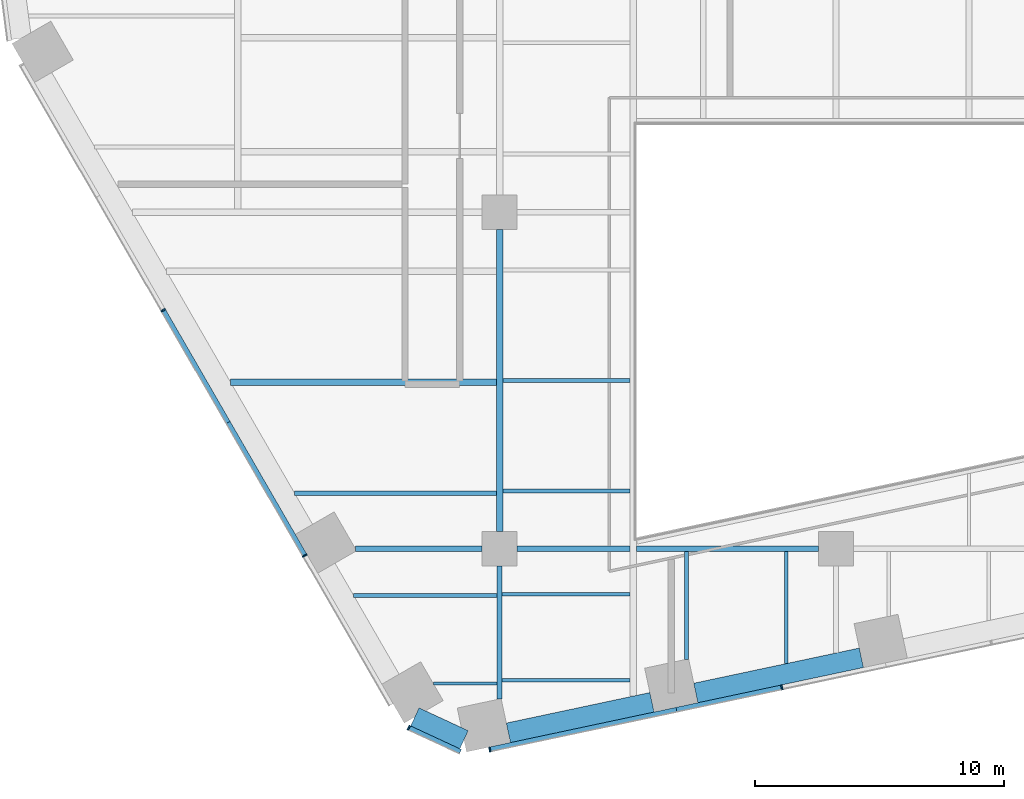
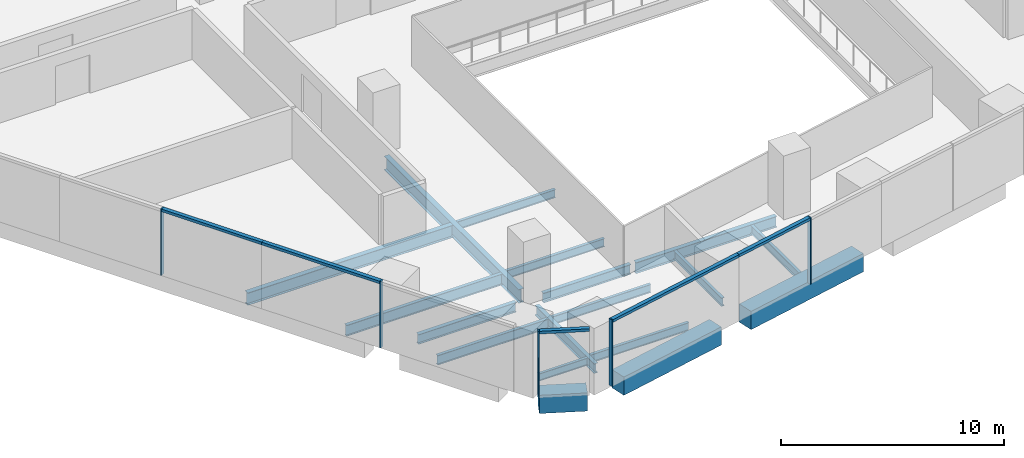
# One storey, part 2 of 20: 18 beams, 10 members, 3 elements without a shape of their own.
"""IFC4 building model written with IfcOpenShell, lengths in metres."""

from ifc_helpers import new_model, si_unit, direction, frame, origin, origin_2d, place, context, subcontext, project, spatial, rectangle, i_section, extrude, material, layer, layer_set, material_profile, profile_set, type_object, element, aggregate, save


model = new_model("IFC4")

# Units and contexts
model_context = context("Model", 3, precision=1e-05, world=origin(), true_north=direction((0.0, 1.0)))
body_context = subcontext(model_context, "Body", "Model", "MODEL_VIEW")
ifc_project = project(units=[si_unit("LENGTHUNIT", "METRE"), si_unit("AREAUNIT", "SQUARE_METRE"), si_unit("VOLUMEUNIT", "CUBIC_METRE"), si_unit("PLANEANGLEUNIT", "RADIAN"), si_unit("MASSUNIT", "GRAM", prefix="KILO")], contexts=[model_context])

# Site, building, storey
site_placement = place(None, origin())
site = spatial("IfcSite", under=ifc_project, at=site_placement, CompositionType="ELEMENT")
building_placement = place(site_placement, origin())
building = spatial("IfcBuilding", under=site, at=building_placement, Name="Isthmus Gate Tower", CompositionType="ELEMENT")
storey_placement = place(building_placement, frame((0.0, 0.0, 65.199951171875)))
storey = spatial("IfcBuildingStorey", under=building, at=storey_placement, Name="L14", CompositionType="ELEMENT", Elevation=65.199951171875)

# Curtain wall, members
ifc_material_1 = material(Name="Aluminium, pale champagne anodised", Category="aluminium")
ifc_layer = layer(ifc_material_1, 0.199951171875)
ifc_layer_set = layer_set([ifc_layer], Name="CW-1 UNITISED CURTAIN WALL 200 DEEP")
curtain_wall_type = type_object("IfcCurtainWallType", Name="CW-1 UNITISED CURTAIN WALL 200 DEEP", PredefinedType="NOTDEFINED", material=ifc_layer_set)
curtain_wall_1_placement = place(storey_placement, origin())
curtain_wall_1 = element("IfcCurtainWall", 1, at=curtain_wall_1_placement, inside=storey, type_object=curtain_wall_type, Name="CW-1 SW L14", PredefinedType="NOTDEFINED")
ifc_material_2 = material(Name="Aluminium, pale champagne anodised", Category="aluminium")
ifc_material_profile_1 = material_profile(ifc_material_2, rectangle(XDim=0.06005859375, YDim=0.199951171875, at=origin_2d()), Name="60x200")
ifc_profile_set_1 = profile_set([ifc_material_profile_1], Name="Aluminium, pale champagne anodised")
member_type_1 = type_object("IfcMemberType", Name="CW-1 MULLION 60 X 200", PredefinedType="MULLION", material=ifc_profile_set_1)
member_1_placement = place(storey_placement, frame((-27.001708984375, -17.431640625, 0.0), z_axis=(0.0, 0.0, 1.0), x_axis=(0.5, -0.866025403784, 0.0)))
member_1 = element("IfcMember", 2, at=member_1_placement, type_object=member_type_1, Name="CW-1 mullion", PredefinedType="MULLION", context=body_context, shape_type="SweptSolid", body=[
    extrude(rectangle(XDim=0.06005859375, YDim=0.199951171875, at=origin_2d()), origin(), (0.0, 0.0, 1.0), 3.650146484375),
])
member_2_placement = place(storey_placement, frame((-21.318115234375, -27.27587890625, 0.0), z_axis=(0.0, 0.0, 1.0), x_axis=(0.5, -0.866025403784, 0.0)))
member_2 = element("IfcMember", 3, at=member_2_placement, type_object=member_type_1, Name="CW-1 mullion", PredefinedType="MULLION", context=body_context, shape_type="SweptSolid", body=[
    extrude(rectangle(XDim=0.06005859375, YDim=0.199951171875, at=origin_2d()), origin(), (0.0, 0.0, 1.0), 3.650146484375),
])

# Curtain wall, member
curtain_wall_2_placement = place(storey_placement, origin())
curtain_wall_2 = element("IfcCurtainWall", 4, at=curtain_wall_2_placement, inside=storey, type_object=curtain_wall_type, Name="CW-1 SW-S L14", PredefinedType="NOTDEFINED")
member_3_placement = place(storey_placement, frame((-17.14794921875, -34.184814453125, 0.0), z_axis=(0.0, 0.0, 1.0), x_axis=(0.907256261367, -0.420578264073, 0.0)))
member_3 = element("IfcMember", 5, at=member_3_placement, type_object=member_type_1, Name="CW-1 mullion", PredefinedType="MULLION", context=body_context, shape_type="SweptSolid", body=[
    extrude(rectangle(XDim=0.06005859375, YDim=0.199951171875, at=origin_2d()), origin(), (0.0, 0.0, 1.0), 3.650146484375),
])

# Curtain wall, members
curtain_wall_3_placement = place(storey_placement, origin())
curtain_wall_3 = element("IfcCurtainWall", 6, at=curtain_wall_3_placement, inside=storey, type_object=curtain_wall_type, Name="CW-1 S L14", PredefinedType="NOTDEFINED")
member_4_placement = place(storey_placement, frame((-13.89501953125, -35.0556640625, 0.0), z_axis=(0.0, 0.0, 1.0), x_axis=(0.978147600734, 0.207911690818, 0.0)))
member_4 = element("IfcMember", 7, at=member_4_placement, type_object=member_type_1, Name="CW-1 mullion", PredefinedType="MULLION", context=body_context, shape_type="SweptSolid", body=[
    extrude(rectangle(XDim=0.06005859375, YDim=0.199951171875, at=origin_2d()), origin(), (0.0, 0.0, 1.0), 3.650146484375),
])
member_5_placement = place(storey_placement, frame((-2.1728515625, -32.564208984375, 0.0), z_axis=(0.0, 0.0, 1.0), x_axis=(0.978147600734, 0.207911690818, 0.0)))
member_5 = element("IfcMember", 8, at=member_5_placement, type_object=member_type_1, Name="CW-1 mullion", PredefinedType="MULLION", context=body_context, shape_type="SweptSolid", body=[
    extrude(rectangle(XDim=0.06005859375, YDim=0.199951171875, at=origin_2d()), origin(), (0.0, 0.0, 1.0), 3.650146484375),
])

# Member
ifc_material_3 = material(Name="Aluminium, pale champagne anodised", Category="aluminium")
ifc_material_profile_2 = material_profile(ifc_material_3, rectangle(XDim=0.199951171875, YDim=0.14990234375, at=origin_2d()), Name="200x150")
ifc_profile_set_2 = profile_set([ifc_material_profile_2], Name="Aluminium, pale champagne anodised")
member_type_2 = type_object("IfcMemberType", Name="CW-1 TRANSOM 200 X 150", PredefinedType="USERDEFINED", material=ifc_profile_set_2)
member_6_placement = place(storey_placement, frame((-26.98681640625, -17.45751953125, 3.574951171875), z_axis=(0.49999612508, -0.866027640959, 0.0), x_axis=(0.866027640959, 0.49999612508, 0.0)))
member_6 = element("IfcMember", 9, at=member_6_placement, type_object=member_type_2, Name="CW-1 transom", ObjectType="TRANSOM", PredefinedType="USERDEFINED", context=body_context, shape_type="SweptSolid", body=[
    extrude(rectangle(XDim=0.199951171875, YDim=0.14990234375, at=origin_2d()), origin(), (0.0, 0.0, 1.0), 5.173828125),
])

member_7_placement = place(storey_placement, frame((-24.39990234375, -21.938232421875, 3.574951171875), z_axis=(0.500017618927, -0.866015231253, 0.0), x_axis=(0.866015231253, 0.500017618927, 0.0)))
member_7 = element("IfcMember", 10, at=member_7_placement, type_object=member_type_2, Name="CW-1 transom", ObjectType="TRANSOM", PredefinedType="USERDEFINED", context=body_context, shape_type="SweptSolid", body=[
    extrude(rectangle(XDim=0.199951171875, YDim=0.14990234375, at=origin_2d()), origin(), (0.0, 0.0, 1.0), 6.133544921875),
])

aggregate(curtain_wall_1, [member_1, member_6, member_7, member_2])

member_8_placement = place(storey_placement, frame((-17.120849609375, -34.197509765625, 3.574951171875), z_axis=(0.907246225564, -0.420599912268, 0.0), x_axis=(0.420599912268, 0.907246225564, 0.0)))
member_8 = element("IfcMember", 11, at=member_8_placement, type_object=member_type_2, Name="CW-1 transom", ObjectType="TRANSOM", PredefinedType="USERDEFINED", context=body_context, shape_type="SweptSolid", body=[
    extrude(rectangle(XDim=0.199951171875, YDim=0.14990234375, at=origin_2d()), origin(), (0.0, 0.0, 1.0), 2.258544921875),
])

aggregate(curtain_wall_2, [member_3, member_8])

member_9_placement = place(storey_placement, frame((-13.86572265625, -35.049560546875, 3.574951171875), z_axis=(0.978149009137, 0.20790506469, 0.0), x_axis=(-0.20790506469, 0.978149009137, 0.0)))
member_9 = element("IfcMember", 12, at=member_9_placement, type_object=member_type_2, Name="CW-1 transom", ObjectType="TRANSOM", PredefinedType="USERDEFINED", context=body_context, shape_type="SweptSolid", body=[
    extrude(rectangle(XDim=0.199951171875, YDim=0.14990234375, at=origin_2d()), origin(), (0.0, 0.0, 1.0), 7.62939453125),
])

member_10_placement = place(storey_placement, frame((-6.403076171875, -33.46337890625, 3.574951171875), z_axis=(0.97813890815, 0.207952582007, 0.0), x_axis=(-0.207952582007, 0.97813890815, 0.0)))
member_10 = element("IfcMember", 13, at=member_10_placement, type_object=member_type_2, Name="CW-1 transom", ObjectType="TRANSOM", PredefinedType="USERDEFINED", context=body_context, shape_type="SweptSolid", body=[
    extrude(rectangle(XDim=0.199951171875, YDim=0.14990234375, at=origin_2d()), origin(), (0.0, 0.0, 1.0), 4.294677734375),
])

aggregate(curtain_wall_3, [member_4, member_9, member_10, member_5])

# Beams
ifc_material_4 = material(Name="Concrete f'c 70 MPa", Category="concrete")
ifc_material_profile_3 = material_profile(ifc_material_4, rectangle(XDim=0.800048828125, YDim=1.0, at=origin_2d()), Name="RC 800X1000")
ifc_profile_set_3 = profile_set([ifc_material_profile_3], Name="Concrete f'c 70 MPa")
beam_type_1 = type_object("IfcBeamType", Name="RC SPANDREL 800 X 1000", PredefinedType="SPANDREL", material=ifc_profile_set_3)
beam_1_placement = place(storey_placement, frame((1.01416015625, -31.37548828125, -0.5), z_axis=(-0.978145779981, -0.207920256603, 0.0), x_axis=(0.207920256603, -0.978145779981, 0.0)))
element("IfcBeam", 14, at=beam_1_placement, inside=storey, type_object=beam_type_1, Name="str-spandrel-L14-12", PredefinedType="SPANDREL", context=body_context, shape_type="SweptSolid", body=[
    extrude(rectangle(XDim=0.800048828125, YDim=1.0, at=origin_2d()), origin(), (0.0, 0.0, 1.0), 6.789306640625),
])
beam_2_placement = place(storey_placement, frame((-7.387451171875, -33.161376953125, -0.5), z_axis=(-0.978149894464, -0.207900899374, 0.0), x_axis=(0.207900899374, -0.978149894464, 0.0)))
element("IfcBeam", 15, at=beam_2_placement, inside=storey, type_object=beam_type_1, Name="str-spandrel-L14-13", PredefinedType="SPANDREL", context=body_context, shape_type="SweptSolid", body=[
    extrude(rectangle(XDim=0.800048828125, YDim=1.0, at=origin_2d()), origin(), (0.0, 0.0, 1.0), 5.88916015625),
])
beam_3_placement = place(storey_placement, frame((-14.929443359375, -34.662109375, -0.5), z_axis=(-0.907290744498, 0.420503870314, 0.0), x_axis=(-0.420503870314, -0.907290744498, 0.0)))
element("IfcBeam", 16, at=beam_3_placement, inside=storey, type_object=beam_type_1, Name="str-spandrel-L14-14", PredefinedType="SPANDREL", context=body_context, shape_type="SweptSolid", body=[
    extrude(rectangle(XDim=0.800048828125, YDim=1.0, at=origin_2d()), origin(), (0.0, 0.0, 1.0), 2.173095703125),
])
ifc_material_5 = material(Name="Structural steel ASTM A992 Gr 50", Category="steel")
ifc_material_profile_4 = material_profile(ifc_material_5, i_section(OverallWidth=0.1396484375, OverallDepth=0.4033203125, WebThickness=0.00634765625, FlangeThickness=0.010986328125, at=origin_2d()), Name="W16X31")
ifc_profile_set_4 = profile_set([ifc_material_profile_4], Name="Structural steel ASTM A992 Gr 50")
beam_type_2 = type_object("IfcBeamType", Name="STEEL FLOOR BEAM W16X31", PredefinedType="JOIST", material=ifc_profile_set_4)
beam_4_placement = place(storey_placement, frame((-16.162353515625, -32.406005859375, -0.3515625), z_axis=(1.0, 0.0, 0.0), x_axis=(0.0, 1.0, 0.0)))
element("IfcBeam", 17, at=beam_4_placement, inside=storey, type_object=beam_type_2, Name="str-beam-L14-09-00", PredefinedType="JOIST", context=body_context, shape_type="SweptSolid", body=[
    extrude(i_section(OverallWidth=0.1396484375, OverallDepth=0.4033203125, WebThickness=0.00634765625, FlangeThickness=0.010986328125, at=origin_2d()), origin(), (0.0, 0.0, 1.0), 2.5576171875),
])
ifc_material_6 = material(Name="Structural steel ASTM A992 Gr 50", Category="steel")
ifc_material_profile_5 = material_profile(ifc_material_6, i_section(OverallWidth=0.15234375, OverallDepth=0.45068359375, WebThickness=0.0078125, FlangeThickness=0.010986328125, at=origin_2d()), Name="W18X35")
ifc_profile_set_5 = profile_set([ifc_material_profile_5], Name="Structural steel ASTM A992 Gr 50")
beam_type_3 = type_object("IfcBeamType", Name="STEEL FLOOR BEAM W18X35", PredefinedType="JOIST", material=ifc_profile_set_5)
for number, where, z_axis, x_axis, name in (
    (18, (-13.395263671875, -32.27197265625, -0.375244140625), (1.0, 0.0, 0.0), (0.0, 1.0, 0.0), "str-beam-L14-10-00"),
    (19, (-13.395263671875, -28.8271484375, -0.375244140625), (1.0, 0.0, 0.0), (0.0, 1.0, 0.0), "str-beam-L14-10-01"),
):
    element("IfcBeam", number, at=place(storey_placement, frame(where, z_axis=z_axis, x_axis=x_axis)), inside=storey, type_object=beam_type_3, Name=name, PredefinedType="JOIST", context=body_context, shape_type="SweptSolid", body=[
        extrude(i_section(OverallWidth=0.15234375, OverallDepth=0.45068359375, WebThickness=0.0078125, FlangeThickness=0.010986328125, at=origin_2d()), origin(), (0.0, 0.0, 1.0), 5.128662109375),
    ])
for number, where, z_axis, x_axis, name in (
    (20, (-13.3681640625, -24.68017578125, -0.375244140625), (1.0, 0.0, 0.0), (0.0, 1.0, 0.0), "str-beam-L14-12-00"),
    (21, (-13.3681640625, -20.25, -0.375244140625), (1.0, 0.0, 0.0), (0.0, 1.0, 0.0), "str-beam-L14-12-01"),
):
    element("IfcBeam", number, at=place(storey_placement, frame(where, z_axis=z_axis, x_axis=x_axis)), inside=storey, type_object=beam_type_3, Name=name, PredefinedType="JOIST", context=body_context, shape_type="SweptSolid", body=[
        extrude(i_section(OverallWidth=0.15234375, OverallDepth=0.45068359375, WebThickness=0.0078125, FlangeThickness=0.010986328125, at=origin_2d()), origin(), (0.0, 0.0, 1.0), 5.1015625),
    ])
beam_5_placement = place(storey_placement, frame((-6.0, -31.43505859375, -0.375244140625), z_axis=(0.0, 1.0, 0.0), x_axis=(-1.0, 0.0, 0.0)))
element("IfcBeam", 22, at=beam_5_placement, inside=storey, type_object=beam_type_3, Name="str-beam-L14-15-00", PredefinedType="JOIST", context=body_context, shape_type="SweptSolid", body=[
    extrude(i_section(OverallWidth=0.15234375, OverallDepth=0.45068359375, WebThickness=0.0078125, FlangeThickness=0.010986328125, at=origin_2d()), origin(), (0.0, 0.0, 1.0), 4.32080078125),
])
beam_6_placement = place(storey_placement, frame((-2.0, -31.607177734375, -0.375244140625), z_axis=(0.0, 1.0, 0.0), x_axis=(-1.0, 0.0, 0.0)))
element("IfcBeam", 23, at=beam_6_placement, inside=storey, type_object=beam_type_3, Name="str-beam-L14-15-01", PredefinedType="JOIST", context=body_context, shape_type="SweptSolid", body=[
    extrude(i_section(OverallWidth=0.15234375, OverallDepth=0.45068359375, WebThickness=0.0078125, FlangeThickness=0.010986328125, at=origin_2d()), origin(), (0.0, 0.0, 1.0), 4.492919921875),
])
ifc_material_7 = material(Name="Structural steel ASTM A992 Gr 50", Category="steel")
ifc_material_profile_6 = material_profile(ifc_material_7, i_section(OverallWidth=0.1650390625, OverallDepth=0.52392578125, WebThickness=0.009521484375, FlangeThickness=0.010986328125, at=origin_2d()), Name="W21X44")
ifc_profile_set_6 = profile_set([ifc_material_profile_6], Name="Structural steel ASTM A992 Gr 50")
beam_type_4 = type_object("IfcBeamType", Name="STEEL FLOOR BEAM W21X44", PredefinedType="JOIST", material=ifc_profile_set_6)
beam_7_placement = place(storey_placement, frame((-19.357421875, -28.871826171875, -0.411865234375), z_axis=(1.0, 0.0, 0.0), x_axis=(0.0, 1.0, 0.0)))
element("IfcBeam", 24, at=beam_7_placement, inside=storey, type_object=beam_type_4, Name="str-beam-L14-09-01", PredefinedType="JOIST", context=body_context, shape_type="SweptSolid", body=[
    extrude(i_section(OverallWidth=0.1650390625, OverallDepth=0.52392578125, WebThickness=0.009521484375, FlangeThickness=0.010986328125, at=origin_2d()), origin(), (0.0, 0.0, 1.0), 5.752685546875),
])
ifc_material_8 = material(Name="Structural steel ASTM A992 Gr 50", Category="steel")
ifc_material_profile_7 = material_profile(ifc_material_8, i_section(OverallWidth=0.177734375, OverallDepth=0.60009765625, WebThickness=0.009521484375, FlangeThickness=0.0126953125, at=origin_2d()), Name="W24X55")
ifc_profile_set_7 = profile_set([ifc_material_profile_7], Name="Structural steel ASTM A992 Gr 50")
beam_type_5 = type_object("IfcBeamType", Name="STEEL FLOOR BEAM W24X55", PredefinedType="JOIST", material=ifc_profile_set_7)
beam_8_placement = place(storey_placement, frame((-21.724365234375, -24.772216796875, -0.449951171875), z_axis=(1.0, 0.0, 0.0), x_axis=(0.0, 1.0, 0.0)))
element("IfcBeam", 25, at=beam_8_placement, inside=storey, type_object=beam_type_5, Name="str-beam-L14-05-00", PredefinedType="JOIST", context=body_context, shape_type="SweptSolid", body=[
    extrude(i_section(OverallWidth=0.177734375, OverallDepth=0.60009765625, WebThickness=0.009521484375, FlangeThickness=0.0126953125, at=origin_2d()), origin(), (0.0, 0.0, 1.0), 8.092529296875),
])
ifc_material_9 = material(Name="Structural steel ASTM A992 Gr 50", Category="steel")
ifc_material_profile_8 = material_profile(ifc_material_9, i_section(OverallWidth=0.25390625, OverallDepth=0.679443359375, WebThickness=0.010986328125, FlangeThickness=0.015869140625, at=origin_2d()), Name="W27X84")
ifc_profile_set_8 = profile_set([ifc_material_profile_8], Name="Structural steel ASTM A992 Gr 50")
beam_type_6 = type_object("IfcBeamType", Name="STEEL FLOOR BEAM W27X84", PredefinedType="JOIST", material=ifc_profile_set_8)
beam_9_placement = place(storey_placement, frame((-24.296875, -20.316650390625, -0.48974609375), z_axis=(1.0, 0.0, 0.0), x_axis=(0.0, 1.0, 0.0)))
element("IfcBeam", 26, at=beam_9_placement, inside=storey, type_object=beam_type_6, Name="str-beam-L14-05-01", PredefinedType="JOIST", context=body_context, shape_type="SweptSolid", body=[
    extrude(i_section(OverallWidth=0.25390625, OverallDepth=0.679443359375, WebThickness=0.010986328125, FlangeThickness=0.015869140625, at=origin_2d()), origin(), (0.0, 0.0, 1.0), 10.6650390625),
])
ifc_material_10 = material(Name="Structural steel ASTM A992 Gr 50", Category="steel")
ifc_material_profile_9 = material_profile(ifc_material_10, i_section(OverallWidth=0.20947265625, OverallDepth=0.533447265625, WebThickness=0.009521484375, FlangeThickness=0.015869140625, at=origin_2d()), Name="W21X62")
ifc_profile_set_9 = profile_set([ifc_material_profile_9], Name="Structural steel ASTM A992 Gr 50")
beam_type_7 = type_object("IfcBeamType", Name="STEEL GIRDER W21X62", PredefinedType="BEAM", material=ifc_profile_set_9)
beam_10_placement = place(storey_placement, frame((-19.283447265625, -27.0, -0.416748046875), z_axis=(1.0, 0.0, 0.0), x_axis=(0.0, 1.0, 0.0)))
element("IfcBeam", 27, at=beam_10_placement, inside=storey, type_object=beam_type_7, Name="str-girder-L14-01", PredefinedType="BEAM", context=body_context, shape_type="SweptSolid", body=[
    extrude(i_section(OverallWidth=0.20947265625, OverallDepth=0.533447265625, WebThickness=0.009521484375, FlangeThickness=0.015869140625, at=origin_2d()), origin(), (0.0, 0.0, 1.0), 5.08349609375),
])
beam_11_placement = place(storey_placement, frame((-12.800048828125, -27.0, -0.416748046875), z_axis=(1.0, 0.0, 0.0), x_axis=(0.0, 1.0, 0.0)))
element("IfcBeam", 28, at=beam_11_placement, inside=storey, type_object=beam_type_7, Name="str-girder-L14-02", PredefinedType="BEAM", context=body_context, shape_type="SweptSolid", body=[
    extrude(i_section(OverallWidth=0.20947265625, OverallDepth=0.533447265625, WebThickness=0.009521484375, FlangeThickness=0.015869140625, at=origin_2d()), origin(), (0.0, 0.0, 1.0), 4.533447265625),
])
beam_12_placement = place(storey_placement, frame((-13.5, -33.029296875, -0.416748046875), z_axis=(0.0, 1.0, 0.0), x_axis=(-1.0, 0.0, 0.0)))
element("IfcBeam", 29, at=beam_12_placement, inside=storey, type_object=beam_type_7, Name="str-girder-L14-23", PredefinedType="BEAM", context=body_context, shape_type="SweptSolid", body=[
    extrude(i_section(OverallWidth=0.20947265625, OverallDepth=0.533447265625, WebThickness=0.009521484375, FlangeThickness=0.015869140625, at=origin_2d()), origin(), (0.0, 0.0, 1.0), 5.329345703125),
])
ifc_material_11 = material(Name="Structural steel ASTM A992 Gr 50", Category="steel")
ifc_material_profile_10 = material_profile(ifc_material_11, i_section(OverallWidth=0.228515625, OverallDepth=0.603271484375, WebThickness=0.010986328125, FlangeThickness=0.014404296875, at=origin_2d()), Name="W24X68")
ifc_profile_set_10 = profile_set([ifc_material_profile_10], Name="Structural steel ASTM A992 Gr 50")
beam_type_8 = type_object("IfcBeamType", Name="STEEL GIRDER W24X68", PredefinedType="BEAM", material=ifc_profile_set_10)
beam_13_placement = place(storey_placement, frame((-8.0, -27.0, -0.45166015625), z_axis=(1.0, 0.0, 0.0), x_axis=(0.0, 1.0, 0.0)))
element("IfcBeam", 30, at=beam_13_placement, inside=storey, type_object=beam_type_8, Name="str-girder-L14-03", PredefinedType="BEAM", context=body_context, shape_type="SweptSolid", body=[
    extrude(i_section(OverallWidth=0.228515625, OverallDepth=0.603271484375, WebThickness=0.010986328125, FlangeThickness=0.014404296875, at=origin_2d()), origin(), (0.0, 0.0, 1.0), 7.300048828125),
])
ifc_material_12 = material(Name="Structural steel ASTM A992 Gr 50", Category="steel")
ifc_material_profile_11 = material_profile(ifc_material_12, i_section(OverallWidth=0.263427734375, OverallDepth=0.749267578125, WebThickness=0.0126953125, FlangeThickness=0.015869140625, at=origin_2d()), Name="W30X90")
ifc_profile_set_11 = profile_set([ifc_material_profile_11], Name="Structural steel ASTM A992 Gr 50")
beam_type_9 = type_object("IfcBeamType", Name="STEEL GIRDER W30X90", PredefinedType="BEAM", material=ifc_profile_set_11)
beam_14_placement = place(storey_placement, frame((-13.5, -26.300048828125, -0.524658203125), z_axis=(0.0, 1.0, 0.0), x_axis=(-1.0, 0.0, 0.0)))
element("IfcBeam", 31, at=beam_14_placement, inside=storey, type_object=beam_type_9, Name="str-girder-L14-24", PredefinedType="BEAM", context=body_context, shape_type="SweptSolid", body=[
    extrude(i_section(OverallWidth=0.263427734375, OverallDepth=0.749267578125, WebThickness=0.0126953125, FlangeThickness=0.015869140625, at=origin_2d()), origin(), (0.0, 0.0, 1.0), 12.10009765625),
])

save(model, "model.ifc")
